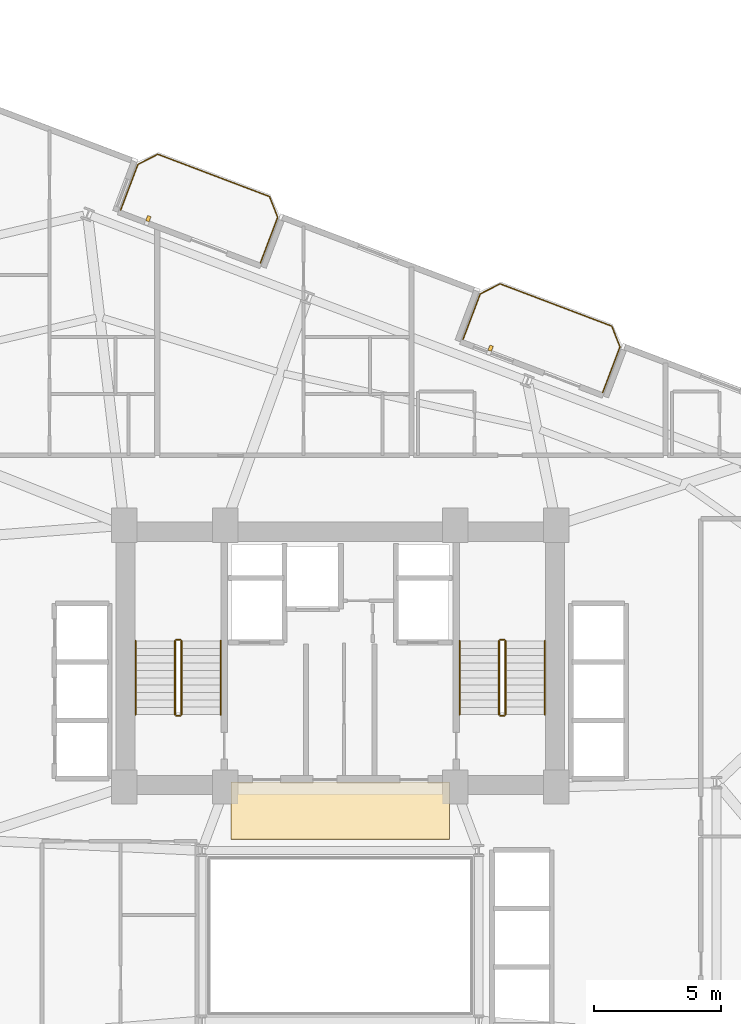
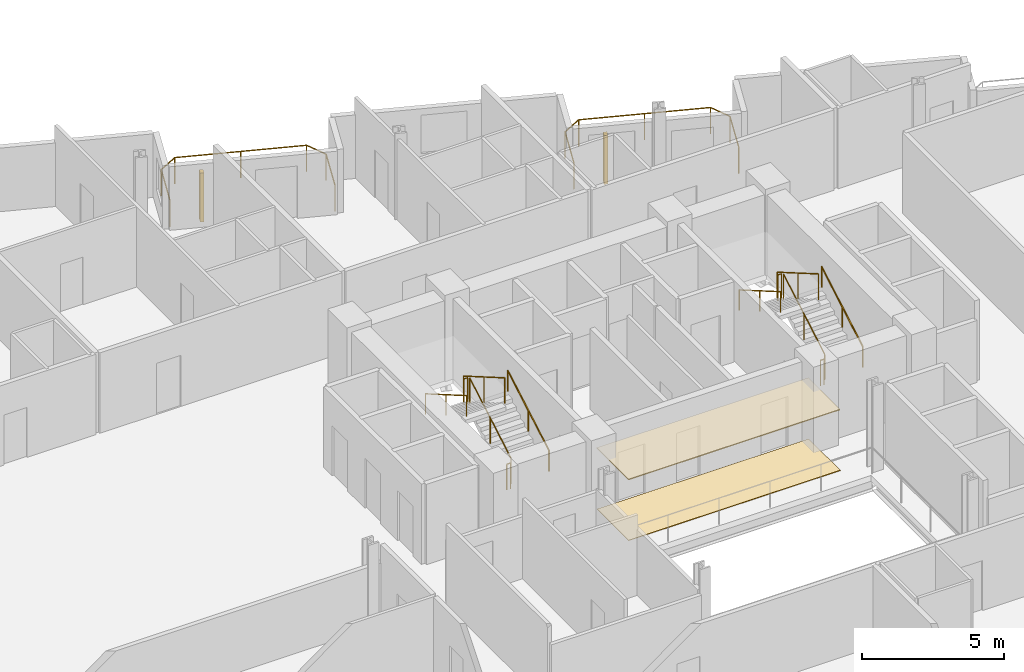
# One storey, part 24 of 25: 14 railings, 2 coverings, 2 shading devices.
"""IFC4 building model written with IfcOpenShell, lengths in metres."""

from ifc_helpers import new_model, si_unit, direction, frame, origin, origin_2d, place, context, subcontext, project, spatial, rectangle, circle, extrude, source, transform, mapped, material, layer, layer_set, type_object, element, save


model = new_model("IFC4")

# Units and contexts
model_context = context("Model", 3, precision=1e-05, world=origin(), true_north=direction((0.0, 1.0)))
body_context = subcontext(model_context, "Body", "Model", "MODEL_VIEW")
ifc_project = project(units=[si_unit("LENGTHUNIT", "METRE"), si_unit("AREAUNIT", "SQUARE_METRE"), si_unit("VOLUMEUNIT", "CUBIC_METRE"), si_unit("PLANEANGLEUNIT", "RADIAN"), si_unit("MASSUNIT", "GRAM", prefix="KILO")], contexts=[model_context])

# Site, building, storey
site_placement = place(None, origin())
site = spatial("IfcSite", under=ifc_project, at=site_placement, CompositionType="ELEMENT")
building_placement = place(site_placement, origin())
building = spatial("IfcBuilding", under=site, at=building_placement, Name="Varnelok Gate Tower", CompositionType="ELEMENT")
storey_placement = place(building_placement, frame((0.0, 0.0, 105.800048828125)))
storey = spatial("IfcBuildingStorey", under=building, at=storey_placement, Name="L26", CompositionType="ELEMENT", Elevation=105.800048828125)

# Railings
ifc_material_1 = material(Name="Low-E Laminated Double Glazing IGU", Category="glass")
railing_type_1 = type_object("IfcRailingType", Name="RL-BALC-1150", PredefinedType="BALUSTRADE", material=ifc_material_1)
railing_1_placement = place(storey_placement, frame((30.560302734375, 51.453125, 0.0)))
element("IfcRailing", 1, at=railing_1_placement, inside=storey, type_object=railing_type_1, Name="L26 North Terrace Balustrade 4", PredefinedType="BALUSTRADE", context=body_context, shape_type="SweptSolid", body=[
    extrude(circle(Radius=0.02392578125, at=origin_2d()), frame((0.0, 0.0, 1.1259765625), z_axis=(0.354006333352, 0.935243025073, 0.0), x_axis=(-0.935243025073, 0.354006333352, 0.0)), (0.0, 0.0, 1.0), 1.919921875),
    extrude(circle(Radius=0.02392578125, at=origin_2d()), frame((0.6796875, 1.795654296875, 1.1259765625), z_axis=(0.89078254773, 0.454429810487, 0.0), x_axis=(-0.454429810487, 0.89078254773, 0.0)), (0.0, 0.0, 1.0), 0.8779296875),
    extrude(circle(Radius=0.02392578125, at=origin_2d()), frame((1.461669921875, 2.194580078125, 1.1259765625), z_axis=(0.935223045203, -0.354059113314, 0.0), x_axis=(0.354059113314, 0.935223045203, 0.0)), (0.0, 0.0, 1.0), 4.699951171875),
    extrude(circle(Radius=0.02392578125, at=origin_2d()), frame((5.857177734375, 0.530517578125, 1.1259765625), z_axis=(0.366349384437, -0.930477365938, 0.0), x_axis=(0.930477365938, 0.366349384437, 0.0)), (0.0, 0.0, 1.0), 0.877685546875),
    extrude(circle(Radius=0.02392578125, at=origin_2d()), frame((6.1787109375, -0.2861328125, 1.1259765625), z_axis=(-0.354006333352, -0.935243025073, 0.0), x_axis=(0.935243025073, -0.354006333352, 0.0)), (0.0, 0.0, 1.0), 1.919921875),
    extrude(circle(Radius=0.02099609375, at=origin_2d()), origin(), (0.0, 0.0, 1.0), 1.101806640625),
    extrude(circle(Radius=0.02099609375, at=origin_2d()), frame((0.6796875, 1.795654296875, 0.0)), (0.0, 0.0, 1.0), 1.101806640625),
    extrude(circle(Radius=0.02099609375, at=origin_2d()), frame((1.461669921875, 2.194580078125, 0.0)), (0.0, 0.0, 1.0), 1.101806640625),
    extrude(circle(Radius=0.02099609375, at=origin_2d()), frame((3.659423828125, 1.362548828125, 0.0)), (0.0, 0.0, 1.0), 1.101806640625),
    extrude(circle(Radius=0.02099609375, at=origin_2d()), frame((5.857177734375, 0.530517578125, 0.0)), (0.0, 0.0, 1.0), 1.101806640625),
    extrude(circle(Radius=0.02099609375, at=origin_2d()), frame((6.1787109375, -0.2861328125, 0.0)), (0.0, 0.0, 1.0), 1.101806640625),
    extrude(circle(Radius=0.02099609375, at=origin_2d()), frame((5.4990234375, -2.081787109375, 0.0)), (0.0, 0.0, 1.0), 1.101806640625),
])
railing_2_placement = place(storey_placement, frame((44.02734375, 46.354736328125, 0.0)))
element("IfcRailing", 2, at=railing_2_placement, inside=storey, type_object=railing_type_1, Name="L26 North Terrace Balustrade 5", PredefinedType="BALUSTRADE", context=body_context, shape_type="SweptSolid", body=[
    extrude(circle(Radius=0.02392578125, at=origin_2d()), frame((0.0, 0.0, 1.1259765625), z_axis=(0.354117547856, 0.935200920819, 0.0), x_axis=(-0.935200920819, 0.354117547856, 0.0)), (0.0, 0.0, 1.0), 1.920166015625),
    extrude(circle(Radius=0.02392578125, at=origin_2d()), frame((0.679931640625, 1.795654296875, 1.1259765625), z_axis=(0.890725095116, 0.454542412686, 0.0), x_axis=(-0.454542412686, 0.890725095116, 0.0)), (0.0, 0.0, 1.0), 0.877685546875),
    extrude(circle(Radius=0.02392578125, at=origin_2d()), frame((1.461669921875, 2.194580078125, 1.1259765625), z_axis=(0.935223045203, -0.354059113314, 0.0), x_axis=(0.354059113314, 0.935223045203, 0.0)), (0.0, 0.0, 1.0), 4.699951171875),
    extrude(circle(Radius=0.02392578125, at=origin_2d()), frame((5.857177734375, 0.530517578125, 1.1259765625), z_axis=(0.366495340819, -0.93041988648, 0.0), x_axis=(0.93041988648, 0.366495340819, 0.0)), (0.0, 0.0, 1.0), 0.8779296875),
    extrude(circle(Radius=0.02392578125, at=origin_2d()), frame((6.178955078125, -0.286376953125, 1.1259765625), z_axis=(-0.354006333352, -0.935243025073, 0.0), x_axis=(0.935243025073, -0.354006333352, 0.0)), (0.0, 0.0, 1.0), 1.919921875),
    extrude(circle(Radius=0.02099609375, at=origin_2d()), origin(), (0.0, 0.0, 1.0), 1.101806640625),
    extrude(circle(Radius=0.02099609375, at=origin_2d()), frame((0.679931640625, 1.795654296875, 0.0)), (0.0, 0.0, 1.0), 1.101806640625),
    extrude(circle(Radius=0.02099609375, at=origin_2d()), frame((1.461669921875, 2.194580078125, 0.0)), (0.0, 0.0, 1.0), 1.101806640625),
    extrude(circle(Radius=0.02099609375, at=origin_2d()), frame((3.659423828125, 1.362548828125, 0.0)), (0.0, 0.0, 1.0), 1.101806640625),
    extrude(circle(Radius=0.02099609375, at=origin_2d()), frame((5.857177734375, 0.530517578125, 0.0)), (0.0, 0.0, 1.0), 1.101806640625),
    extrude(circle(Radius=0.02099609375, at=origin_2d()), frame((6.178955078125, -0.286376953125, 0.0)), (0.0, 0.0, 1.0), 1.101806640625),
    extrude(circle(Radius=0.02099609375, at=origin_2d()), frame((5.499267578125, -2.08203125, 0.0)), (0.0, 0.0, 1.0), 1.101806640625),
])
ifc_material_2 = material(Name="Brushed Stainless Steel AISI 316", Category="steel")
railing_type_2 = type_object("IfcRailingType", Name="RL-HANDRAIL-900", PredefinedType="HANDRAIL", material=ifc_material_2)
railing_3_placement = place(storey_placement, frame((34.5, 31.60009765625, 0.168212890625)))
element("IfcRailing", 3, at=railing_3_placement, inside=storey, type_object=railing_type_2, Name="L26 ST-1 stair handrail 1", PredefinedType="HANDRAIL", context=body_context, shape_type="SweptSolid", body=[
    extrude(circle(Radius=0.02392578125, at=origin_2d()), frame((0.0, 0.0, 0.8759765625), z_axis=(0.0, 0.86507038078, 0.501650512107), x_axis=(-1.0, 0.0, 0.0)), (0.0, 0.0, 1.0), 3.352294921875),
    extrude(circle(Radius=0.02099609375, at=origin_2d()), origin(), (0.0, 0.0, 1.0), 0.851806640625),
    extrude(circle(Radius=0.02099609375, at=origin_2d()), frame((0.0, 1.449951171875, 0.8408203125)), (0.0, 0.0, 1.0), 0.851806640625),
    extrude(circle(Radius=0.02099609375, at=origin_2d()), frame((0.0, 2.89990234375, 1.681640625)), (0.0, 0.0, 1.0), 0.851806640625),
])
railing_4_placement = place(storey_placement, frame((31.14990234375, 34.5, 2.01806640625)))
element("IfcRailing", 4, at=railing_4_placement, inside=storey, type_object=railing_type_2, Name="L26 ST-1 stair handrail 2", PredefinedType="HANDRAIL", context=body_context, shape_type="SweptSolid", body=[
    extrude(circle(Radius=0.02392578125, at=origin_2d()), frame((0.0, 0.0, 0.8759765625), z_axis=(0.0, -0.865038774852, 0.501705010941), x_axis=(1.0, 0.0, 0.0)), (0.0, 0.0, 1.0), 3.352294921875),
    extrude(circle(Radius=0.02099609375, at=origin_2d()), origin(), (0.0, 0.0, 1.0), 0.851806640625),
    extrude(circle(Radius=0.02099609375, at=origin_2d()), frame((0.0, -1.449951171875, 0.8408203125)), (0.0, 0.0, 1.0), 0.851806640625),
    extrude(circle(Radius=0.02099609375, at=origin_2d()), frame((0.0, -2.89990234375, 1.681884765625)), (0.0, 0.0, 1.0), 0.851806640625),
])
railing_5_placement = place(storey_placement, frame((47.25, 31.60009765625, 0.168212890625)))
element("IfcRailing", 5, at=railing_5_placement, inside=storey, type_object=railing_type_2, Name="L26 ST-2 stair handrail 1", PredefinedType="HANDRAIL", context=body_context, shape_type="SweptSolid", body=[
    extrude(circle(Radius=0.02392578125, at=origin_2d()), frame((0.0, 0.0, 0.8759765625), z_axis=(0.0, 0.86507038078, 0.501650512107), x_axis=(-1.0, 0.0, 0.0)), (0.0, 0.0, 1.0), 3.352294921875),
    extrude(circle(Radius=0.02099609375, at=origin_2d()), origin(), (0.0, 0.0, 1.0), 0.851806640625),
    extrude(circle(Radius=0.02099609375, at=origin_2d()), frame((0.0, 1.449951171875, 0.8408203125)), (0.0, 0.0, 1.0), 0.851806640625),
    extrude(circle(Radius=0.02099609375, at=origin_2d()), frame((0.0, 2.89990234375, 1.681640625)), (0.0, 0.0, 1.0), 0.851806640625),
])
railing_6_placement = place(storey_placement, frame((43.89990234375, 34.5, 2.01806640625)))
element("IfcRailing", 6, at=railing_6_placement, inside=storey, type_object=railing_type_2, Name="L26 ST-2 stair handrail 2", PredefinedType="HANDRAIL", context=body_context, shape_type="SweptSolid", body=[
    extrude(circle(Radius=0.02392578125, at=origin_2d()), frame((0.0, 0.0, 0.8759765625), z_axis=(0.0, -0.865038774852, 0.501705010941), x_axis=(1.0, 0.0, 0.0)), (0.0, 0.0, 1.0), 3.352294921875),
    extrude(circle(Radius=0.02099609375, at=origin_2d()), origin(), (0.0, 0.0, 1.0), 0.851806640625),
    extrude(circle(Radius=0.02099609375, at=origin_2d()), frame((0.0, -1.449951171875, 0.8408203125)), (0.0, 0.0, 1.0), 0.851806640625),
    extrude(circle(Radius=0.02099609375, at=origin_2d()), frame((0.0, -2.89990234375, 1.681884765625)), (0.0, 0.0, 1.0), 0.851806640625),
])
ifc_material_3 = material(Name="Galvanized Steel Grade S350GD", Category="steel")
railing_type_3 = type_object("IfcRailingType", Name="RL-STAIR-GUARD1120", PredefinedType="GUARDRAIL", material=ifc_material_3)
railing_7_placement = place(storey_placement, frame((32.949951171875, 31.60009765625, 0.168212890625)))
element("IfcRailing", 7, at=railing_7_placement, inside=storey, type_object=railing_type_3, Name="L26 ST-1 stair guard 1", PredefinedType="GUARDRAIL", context=body_context, shape_type="SweptSolid", body=[
    extrude(circle(Radius=0.02392578125, at=origin_2d()), frame((0.0, 0.0, 1.09619140625), z_axis=(0.0, 0.86507038078, 0.501650512107), x_axis=(-1.0, 0.0, 0.0)), (0.0, 0.0, 1.0), 3.352294921875),
    extrude(circle(Radius=0.02099609375, at=origin_2d()), origin(), (0.0, 0.0, 1.0), 1.072021484375),
    extrude(circle(Radius=0.02099609375, at=origin_2d()), frame((0.0, 1.449951171875, 0.8408203125)), (0.0, 0.0, 1.0), 1.072021484375),
    extrude(circle(Radius=0.02099609375, at=origin_2d()), frame((0.0, 2.89990234375, 1.681640625)), (0.0, 0.0, 1.0), 1.072021484375),
])
railing_8_placement = place(storey_placement, frame((32.89990234375, 34.550048828125, 1.849853515625)))
element("IfcRailing", 8, at=railing_8_placement, inside=storey, type_object=railing_type_3, Name="L26 ST-1 stair guard 2", PredefinedType="GUARDRAIL", context=body_context, shape_type="SweptSolid", body=[
    extrude(circle(Radius=0.02392578125, at=origin_2d()), frame((0.0, 0.0, 1.09619140625), z_axis=(-1.0, 0.0, 0.0), x_axis=(0.0, -1.0, 0.0)), (0.0, 0.0, 1.0), 0.14990234375),
    extrude(circle(Radius=0.02099609375, at=origin_2d()), origin(), (0.0, 0.0, 1.0), 1.072021484375),
    extrude(circle(Radius=0.02099609375, at=origin_2d()), frame((-0.14990234375, 0.0, 0.0)), (0.0, 0.0, 1.0), 1.072021484375),
])
railing_9_placement = place(storey_placement, frame((32.699951171875, 34.5, 2.01806640625)))
element("IfcRailing", 9, at=railing_9_placement, inside=storey, type_object=railing_type_3, Name="L26 ST-1 stair guard 3", PredefinedType="GUARDRAIL", context=body_context, shape_type="SweptSolid", body=[
    extrude(circle(Radius=0.02392578125, at=origin_2d()), frame((0.0, 0.0, 1.09619140625), z_axis=(0.0, -0.865038774852, 0.501705010941), x_axis=(1.0, 0.0, 0.0)), (0.0, 0.0, 1.0), 3.352294921875),
    extrude(circle(Radius=0.02099609375, at=origin_2d()), origin(), (0.0, 0.0, 1.0), 1.072021484375),
    extrude(circle(Radius=0.02099609375, at=origin_2d()), frame((0.0, -1.449951171875, 0.8408203125)), (0.0, 0.0, 1.0), 1.072021484375),
    extrude(circle(Radius=0.02099609375, at=origin_2d()), frame((0.0, -2.89990234375, 1.681884765625)), (0.0, 0.0, 1.0), 1.072021484375),
])
railing_10_placement = place(storey_placement, frame((32.89990234375, 31.550048828125, 0.0)))
element("IfcRailing", 10, at=railing_10_placement, inside=storey, type_object=railing_type_3, Name="L26 ST-1 stair guard 4", PredefinedType="GUARDRAIL", context=body_context, shape_type="SweptSolid", body=[
    extrude(circle(Radius=0.02392578125, at=origin_2d()), frame((0.0, 0.0, 1.09619140625), z_axis=(-1.0, 0.0, 0.0), x_axis=(0.0, -1.0, 0.0)), (0.0, 0.0, 1.0), 0.14990234375),
    extrude(circle(Radius=0.02099609375, at=origin_2d()), origin(), (0.0, 0.0, 1.0), 1.072021484375),
    extrude(circle(Radius=0.02099609375, at=origin_2d()), frame((-0.14990234375, 0.0, 0.0)), (0.0, 0.0, 1.0), 1.072021484375),
])
railing_11_placement = place(storey_placement, frame((45.699951171875, 31.60009765625, 0.168212890625)))
element("IfcRailing", 11, at=railing_11_placement, inside=storey, type_object=railing_type_3, Name="L26 ST-2 stair guard 1", PredefinedType="GUARDRAIL", context=body_context, shape_type="SweptSolid", body=[
    extrude(circle(Radius=0.02392578125, at=origin_2d()), frame((0.0, 0.0, 1.09619140625), z_axis=(0.0, 0.86507038078, 0.501650512107), x_axis=(-1.0, 0.0, 0.0)), (0.0, 0.0, 1.0), 3.352294921875),
    extrude(circle(Radius=0.02099609375, at=origin_2d()), origin(), (0.0, 0.0, 1.0), 1.072021484375),
    extrude(circle(Radius=0.02099609375, at=origin_2d()), frame((0.0, 1.449951171875, 0.8408203125)), (0.0, 0.0, 1.0), 1.072021484375),
    extrude(circle(Radius=0.02099609375, at=origin_2d()), frame((0.0, 2.89990234375, 1.681640625)), (0.0, 0.0, 1.0), 1.072021484375),
])
railing_12_placement = place(storey_placement, frame((45.64990234375, 34.550048828125, 1.849853515625)))
element("IfcRailing", 12, at=railing_12_placement, inside=storey, type_object=railing_type_3, Name="L26 ST-2 stair guard 2", PredefinedType="GUARDRAIL", context=body_context, shape_type="SweptSolid", body=[
    extrude(circle(Radius=0.02392578125, at=origin_2d()), frame((0.0, 0.0, 1.09619140625), z_axis=(-1.0, 0.0, 0.0), x_axis=(0.0, -1.0, 0.0)), (0.0, 0.0, 1.0), 0.14990234375),
    extrude(circle(Radius=0.02099609375, at=origin_2d()), origin(), (0.0, 0.0, 1.0), 1.072021484375),
    extrude(circle(Radius=0.02099609375, at=origin_2d()), frame((-0.14990234375, 0.0, 0.0)), (0.0, 0.0, 1.0), 1.072021484375),
])
railing_13_placement = place(storey_placement, frame((45.449951171875, 34.5, 2.01806640625)))
element("IfcRailing", 13, at=railing_13_placement, inside=storey, type_object=railing_type_3, Name="L26 ST-2 stair guard 3", PredefinedType="GUARDRAIL", context=body_context, shape_type="SweptSolid", body=[
    extrude(circle(Radius=0.02392578125, at=origin_2d()), frame((0.0, 0.0, 1.09619140625), z_axis=(0.0, -0.865038774852, 0.501705010941), x_axis=(1.0, 0.0, 0.0)), (0.0, 0.0, 1.0), 3.352294921875),
    extrude(circle(Radius=0.02099609375, at=origin_2d()), origin(), (0.0, 0.0, 1.0), 1.072021484375),
    extrude(circle(Radius=0.02099609375, at=origin_2d()), frame((0.0, -1.449951171875, 0.8408203125)), (0.0, 0.0, 1.0), 1.072021484375),
    extrude(circle(Radius=0.02099609375, at=origin_2d()), frame((0.0, -2.89990234375, 1.681884765625)), (0.0, 0.0, 1.0), 1.072021484375),
])
railing_14_placement = place(storey_placement, frame((45.64990234375, 31.550048828125, 0.0)))
element("IfcRailing", 14, at=railing_14_placement, inside=storey, type_object=railing_type_3, Name="L26 ST-2 stair guard 4", PredefinedType="GUARDRAIL", context=body_context, shape_type="SweptSolid", body=[
    extrude(circle(Radius=0.02392578125, at=origin_2d()), frame((0.0, 0.0, 1.09619140625), z_axis=(-1.0, 0.0, 0.0), x_axis=(0.0, -1.0, 0.0)), (0.0, 0.0, 1.0), 0.14990234375),
    extrude(circle(Radius=0.02099609375, at=origin_2d()), origin(), (0.0, 0.0, 1.0), 1.072021484375),
    extrude(circle(Radius=0.02099609375, at=origin_2d()), frame((-0.14990234375, 0.0, 0.0)), (0.0, 0.0, 1.0), 1.072021484375),
])

# Shading devices
ifc_material_4 = material(Name="Glazed Architectural Terracotta Ceramic", Category="masonry")
shading_device_type = type_object("IfcShadingDeviceType", Name="SHD-TERRA-BAGUETTE", PredefinedType="USERDEFINED", material=ifc_material_4)
shared_shape_1 = source(origin(), body_context, "Body", "SweptSolid", [
    extrude(rectangle(XDim=0.139892578125, YDim=0.219970703125, at=origin_2d()), origin(), (0.0, 0.0, 1.0), 2.10009765625),
])
for number, where, z_axis, x_axis, name in (
    (15, (31.651123046875, 51.114990234375, 0.099853515625), (0.0, 0.0, 1.0), (0.935221751401, -0.354062530786, 0.0), "L26 Terracotta Ceramic Baguette Sunscreen 4.1"),
    (16, (45.118408203125, 46.0166015625, 0.099853515625), (0.0, 0.0, 1.0), (0.935221751401, -0.354062530786, 0.0), "L26 Terracotta Ceramic Baguette Sunscreen 5.1"),
):
    element("IfcShadingDevice", number, at=place(storey_placement, frame(where, z_axis=z_axis, x_axis=x_axis)), inside=storey, type_object=shading_device_type, Name=name, ObjectType="BAGUETTE", PredefinedType="USERDEFINED", context=body_context, shape_type="MappedRepresentation", body=[
        mapped(shared_shape_1, transform((0.0, 0.0, 0.0), scale=1.0)),
    ])

# Coverings
ifc_material_5 = material(Name="Honed Travertine Stone Flooring", Category="masonry")
ifc_layer_1 = layer(ifc_material_5, 0.02490234375)
ifc_layer_set_1 = layer_set([ifc_layer_1], Name="Honed Travertine Stone Flooring")
covering_type_1 = type_object("IfcCoveringType", Name="COV-FLOR-STONE", PredefinedType="FLOORING", material=ifc_layer_set_1)
shared_shape_2 = source(origin(), body_context, "Body", "SweptSolid", [
    extrude(rectangle(XDim=8.60009765625, YDim=2.219970703125, at=origin_2d()), origin(), (0.0, 0.0, 1.0), 0.02490234375),
])
covering_1_placement = place(storey_placement, frame((39.199951171875, 27.800048828125, 0.0), z_axis=(0.0, 0.0, 1.0), x_axis=(1.0, 0.0, 0.0)))
element("IfcCovering", 17, at=covering_1_placement, inside=storey, type_object=covering_type_1, Name="L26 Core Gallery Stone Flooring", PredefinedType="FLOORING", context=body_context, shape_type="MappedRepresentation", body=[
    mapped(shared_shape_2, transform((0.0, 0.0, 0.0), scale=1.0)),
])
ifc_material_6 = material(Name="Mineral Fiber Acoustic Ceiling Tile")
ifc_layer_2 = layer(ifc_material_6, 0.0400390625)
ifc_layer_set_2 = layer_set([ifc_layer_2], Name="Mineral Fiber Acoustic Ceiling Tile")
covering_type_2 = type_object("IfcCoveringType", Name="COV-CEIL-ACOUST", PredefinedType="CEILING", material=ifc_layer_set_2)
shared_shape_3 = source(origin(), body_context, "Body", "SweptSolid", [
    extrude(rectangle(XDim=8.60009765625, YDim=2.239990234375, at=origin_2d()), origin(), (0.0, 0.0, 1.0), 0.0400390625),
])
covering_2_placement = place(storey_placement, frame((39.199951171875, 27.820068359375, 2.599853515625), z_axis=(0.0, 0.0, 1.0), x_axis=(1.0, 0.0, 0.0)))
element("IfcCovering", 18, at=covering_2_placement, inside=storey, type_object=covering_type_2, Name="L26 Core Gallery Acoustic Ceiling", PredefinedType="CEILING", context=body_context, shape_type="MappedRepresentation", body=[
    mapped(shared_shape_3, transform((0.0, 0.0, 0.0), scale=1.0)),
])

save(model, "model.ifc")
